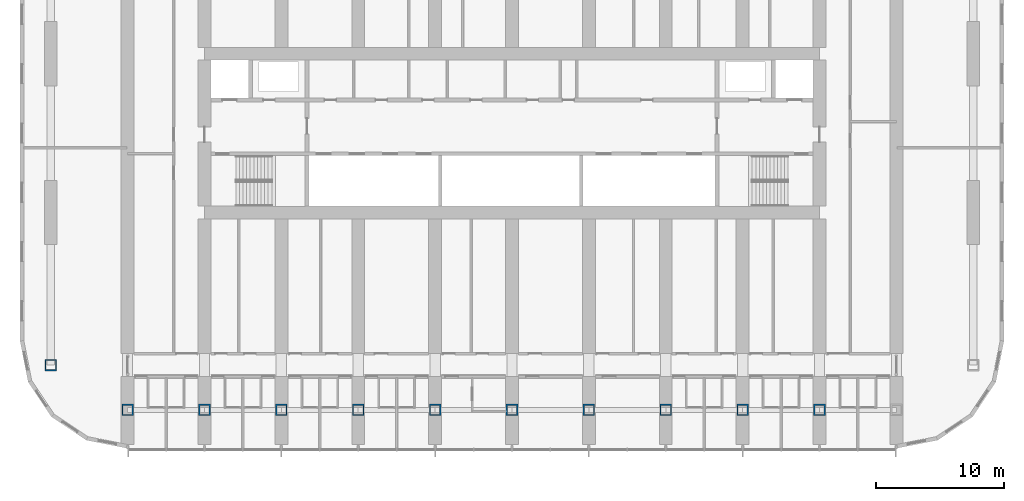
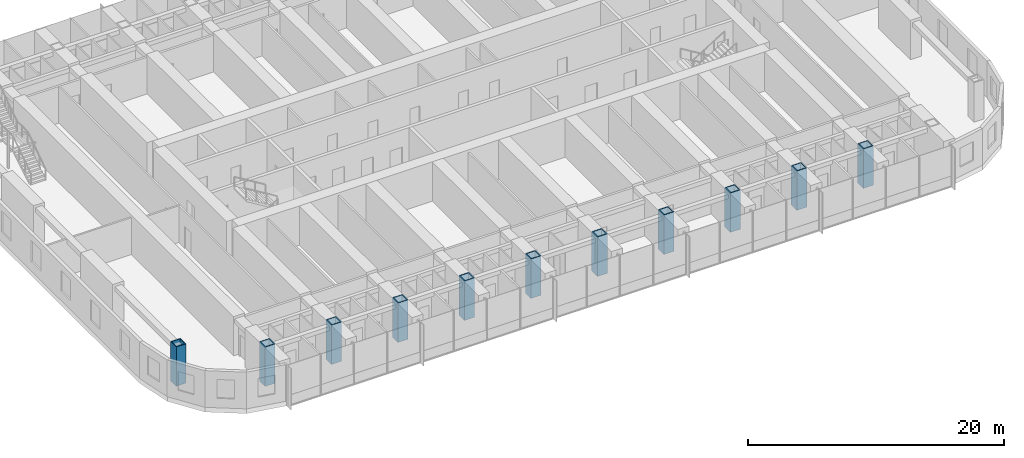
# One storey, part 1 of 28: 11 columns.
"""IFC4 building model written with IfcOpenShell, lengths in metres."""

from ifc_helpers import new_model, si_unit, direction, frame, origin, origin_2d, place, context, subcontext, project, spatial, hollow_rectangle, extrude, material, material_profile, profile_set, type_object, element, save


model = new_model("IFC4")

# Units and contexts
model_context = context("Model", 3, precision=1e-05, world=origin(), true_north=direction((0.0, 1.0)))
body_context = subcontext(model_context, "Body", "Model", "MODEL_VIEW")
ifc_project = project(units=[si_unit("LENGTHUNIT", "METRE"), si_unit("AREAUNIT", "SQUARE_METRE"), si_unit("VOLUMEUNIT", "CUBIC_METRE"), si_unit("PLANEANGLEUNIT", "RADIAN"), si_unit("MASSUNIT", "GRAM", prefix="KILO")], contexts=[model_context])

# Site, building, storey
site_placement = place(None, origin())
site = spatial("IfcSite", under=ifc_project, at=site_placement, CompositionType="ELEMENT")
building_placement = place(site_placement, origin())
building = spatial("IfcBuilding", under=site, at=building_placement, Name="Orbita Commons", CompositionType="ELEMENT")
storey_placement = place(building_placement, frame((0.0, 0.0, 38.949951171875)))
storey = spatial("IfcBuildingStorey", under=building, at=storey_placement, Name="L09", CompositionType="ELEMENT", Elevation=38.949951171875)

# Columns
ifc_material = material(Name="Steel ASTM A572 Gr 50 welded plate", Category="steel")
ifc_material_profile = material_profile(ifc_material, hollow_rectangle(XDim=0.89990234375, YDim=0.89990234375, WallThickness=0.090087890625, at=origin_2d()), Name="BOX 900x900x90")
ifc_profile_set = profile_set([ifc_material_profile], Name="Steel ASTM A572 Gr 50 welded plate")
column_type = type_object("IfcColumnType", Name="Steel column BOX 900x900x90", PredefinedType="COLUMN", material=ifc_profile_set)
for number, where, z_axis, x_axis, name in (
    (1, (12.0, 10.39990234375, 0.0), (0.0, 0.0, 1.0), (1.0, 0.0, 0.0), "Column 3/B L09"),
    (2, (18.0, 10.39990234375, 0.0), (0.0, 0.0, 1.0), (1.0, 0.0, 0.0), "Column 4/B L09"),
    (3, (24.0, 10.39990234375, 0.0), (0.0, 0.0, 1.0), (1.0, 0.0, 0.0), "Column 5/B L09"),
    (4, (30.0, 10.39990234375, 0.0), (0.0, 0.0, 1.0), (1.0, 0.0, 0.0), "Column 6/B L09"),
    (5, (36.0, 10.39990234375, 0.0), (0.0, 0.0, 1.0), (1.0, 0.0, 0.0), "Column 7/B L09"),
    (6, (42.0, 10.39990234375, 0.0), (0.0, 0.0, 1.0), (1.0, 0.0, 0.0), "Column 8/B L09"),
    (7, (48.0, 10.39990234375, 0.0), (0.0, 0.0, 1.0), (1.0, 0.0, 0.0), "Column 9/B L09"),
    (8, (54.0, 10.39990234375, 0.0), (0.0, 0.0, 1.0), (1.0, 0.0, 0.0), "Column 10/B L09"),
    (9, (60.0, 10.39990234375, 0.0), (0.0, 0.0, 1.0), (1.0, 0.0, 0.0), "Column 11/B L09"),
    (10, (66.0, 10.39990234375, 0.0), (0.0, 0.0, 1.0), (1.0, 0.0, 0.0), "Column 12/B L09"),
    (11, (6.0, 13.89990234375, 0.0), (0.0, 0.0, 1.0), (1.0, 0.0, 0.0), "Column 2/13.9 L09"),
):
    element("IfcColumn", number, at=place(storey_placement, frame(where, z_axis=z_axis, x_axis=x_axis)), inside=storey, type_object=column_type, Name=name, PredefinedType="COLUMN", context=body_context, shape_type="SweptSolid", body=[
        extrude(hollow_rectangle(XDim=0.89990234375, YDim=0.89990234375, WallThickness=0.090087890625, at=origin_2d()), origin(), (0.0, 0.0, 1.0), 3.75),
    ])

save(model, "model.ifc")
